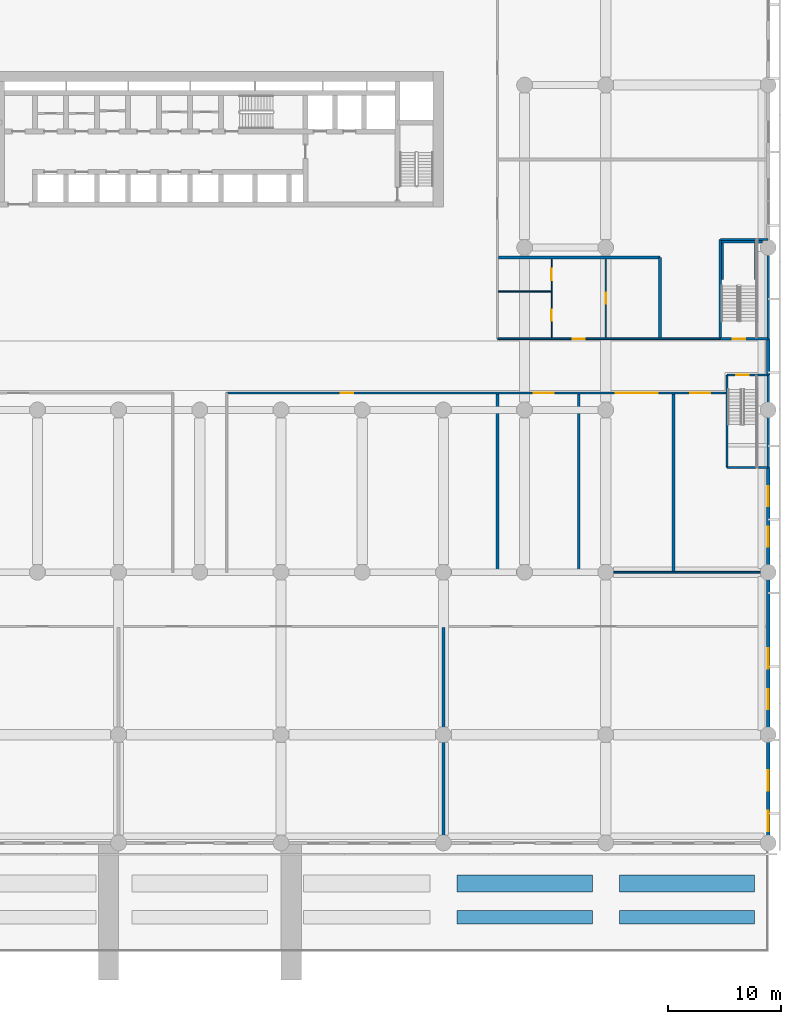
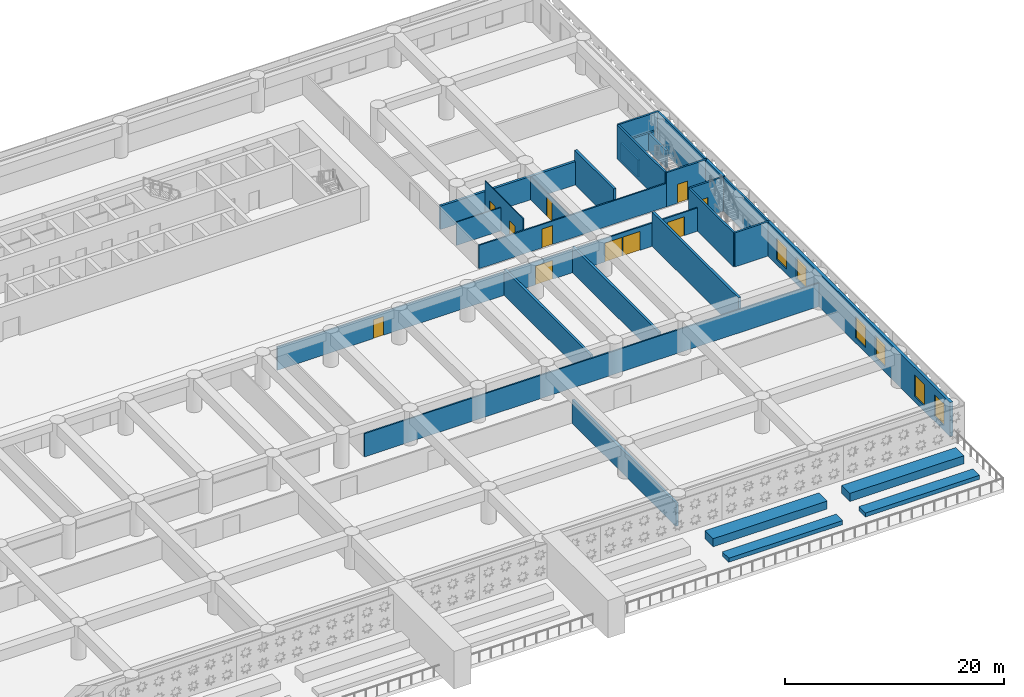
# One storey, part 6 of 24: 29 walls, 11 doors, 6 windows, 17 openings.
"""IFC4 building model written with IfcOpenShell, lengths in metres."""

from ifc_helpers import new_model, si_unit, direction, frame, frame_2d, origin, place, context, subcontext, project, spatial, rectangle, extrude, material, layer, layer_set, type_object, element, fill, save


model = new_model("IFC4")

# Units and contexts
model_context = context("Model", 3, precision=1e-05, world=origin(), true_north=direction((0.0, 1.0)))
body_context = subcontext(model_context, "Body", "Model", "MODEL_VIEW")
ifc_project = project(units=[si_unit("LENGTHUNIT", "METRE"), si_unit("AREAUNIT", "SQUARE_METRE"), si_unit("VOLUMEUNIT", "CUBIC_METRE"), si_unit("PLANEANGLEUNIT", "RADIAN"), si_unit("MASSUNIT", "GRAM", prefix="KILO")], contexts=[model_context])

# Site, building, storey
site_placement = place(None, origin())
site = spatial("IfcSite", under=ifc_project, at=site_placement, CompositionType="ELEMENT")
building_placement = place(site_placement, origin())
building = spatial("IfcBuilding", under=site, at=building_placement, Name="Saffron Iwan Residences", CompositionType="ELEMENT")
storey_placement = place(building_placement, frame((0.0, 0.0, 13.199951171875)))
storey = spatial("IfcBuildingStorey", under=building, at=storey_placement, Name="L02", CompositionType="ELEMENT", Elevation=13.199951171875)

# Wall
ifc_material_1 = material(Name="Concrete blockwork", Category="masonry")
ifc_layer_1 = layer(ifc_material_1, 0.14990234375)
ifc_layer_set_1 = layer_set([ifc_layer_1], Name="Concrete blockwork")
wall_type_1 = type_object("IfcWallType", Name="Blockwork partition 150", PredefinedType="PARTITIONING", material=ifc_layer_set_1)
wall_1_placement = place(storey_placement, frame((52.800048828125, 33.60009765625, 0.0), z_axis=(0.0, 0.0, 1.0), x_axis=(1.0, 0.0, 0.0)))
element("IfcWall", 1, at=wall_1_placement, inside=storey, type_object=wall_type_1, Name="W-L02-004", PredefinedType="PARTITIONING", context=body_context, shape_type="SweptSolid", body=[
    extrude(rectangle(XDim=47.849853515625, YDim=0.14990234375, at=frame_2d((23.9248046875, 0.0))), origin(), (0.0, 0.0, 1.0), 2.60009765625),
])

# Wall, openings, doors
wall_2_placement = place(storey_placement, frame((52.800048828125, 49.5, 0.0), z_axis=(0.0, 0.0, 1.0), x_axis=(1.0, 0.0, 0.0)))
wall_2 = element("IfcWall", 2, at=wall_2_placement, inside=storey, type_object=wall_type_1, Name="W-L02-008", PredefinedType="PARTITIONING", context=body_context, shape_type="SweptSolid", body=[
    extrude(rectangle(XDim=44.25, YDim=0.14990234375, at=frame_2d((22.125, 0.0))), origin(), (0.0, 0.0, 1.0), 2.60009765625),
])
opening_1_placement = place(wall_2_placement, frame((10.10009765625, 0.0, 0.0)))
opening_1 = element("IfcOpeningElement", 3, at=opening_1_placement, cuts=wall_2, Name="Opening L02.13", PredefinedType="OPENING", context=body_context, shape_type="SweptSolid", body=[
    extrude(rectangle(XDim=1.10009765625, YDim=2.10009765625, at=frame_2d((0.550048828125, 1.050048828125))), frame((0.0, 0.0849609375, 0.0), z_axis=(0.0, -1.0, 0.0), x_axis=(1.0, 0.0, 0.0)), (0.0, 0.0, 1.0), 0.169921875),
])
opening_2_placement = place(wall_2_placement, frame((27.199951171875, 0.0, 0.0)))
opening_2 = element("IfcOpeningElement", 4, at=opening_2_placement, cuts=wall_2, Name="Opening L02.14", PredefinedType="OPENING", context=body_context, shape_type="SweptSolid", body=[
    extrude(rectangle(XDim=1.800048828125, YDim=2.10009765625, at=frame_2d((0.89990234375, 1.050048828125))), frame((0.0, 0.0849609375, 0.0), z_axis=(0.0, -1.0, 0.0), x_axis=(1.0, 0.0, 0.0)), (0.0, 0.0, 1.0), 0.169921875),
])
opening_3_placement = place(wall_2_placement, frame((34.5, 0.0, 0.0)))
opening_3 = element("IfcOpeningElement", 5, at=opening_3_placement, cuts=wall_2, Name="Opening L02.15", PredefinedType="OPENING", context=body_context, shape_type="SweptSolid", body=[
    extrude(rectangle(XDim=1.800048828125, YDim=2.10009765625, at=frame_2d((0.89990234375, 1.050048828125))), frame((0.0, 0.0849609375, 0.0), z_axis=(0.0, -1.0, 0.0), x_axis=(1.0, 0.0, 0.0)), (0.0, 0.0, 1.0), 0.169921875),
])
opening_4_placement = place(wall_2_placement, frame((36.412109375, 0.0, 0.0)))
opening_4 = element("IfcOpeningElement", 6, at=opening_4_placement, cuts=wall_2, Name="Opening L02.16", PredefinedType="OPENING", context=body_context, shape_type="SweptSolid", body=[
    extrude(rectangle(XDim=1.800048828125, YDim=2.10009765625, at=frame_2d((0.89990234375, 1.050048828125))), frame((0.0, 0.0849609375, 0.0), z_axis=(0.0, -1.0, 0.0), x_axis=(1.0, 0.0, 0.0)), (0.0, 0.0, 1.0), 0.169921875),
])
opening_5_placement = place(wall_2_placement, frame((41.074951171875, 0.0, 0.0)))
opening_5 = element("IfcOpeningElement", 7, at=opening_5_placement, cuts=wall_2, Name="Opening L02.17", PredefinedType="OPENING", context=body_context, shape_type="SweptSolid", body=[
    extrude(rectangle(XDim=1.800048828125, YDim=2.10009765625, at=frame_2d((0.89990234375, 1.050048828125))), frame((0.0, 0.0849609375, 0.0), z_axis=(0.0, -1.0, 0.0), x_axis=(1.0, 0.0, 0.0)), (0.0, 0.0, 1.0), 0.169921875),
])
ifc_material_2 = material(Name="Timber", Category="wood")
door_type_1 = type_object("IfcDoorType", Name="Door 1100x2100", OperationType="NOTDEFINED", PredefinedType="DOOR", material=ifc_material_2)
door_1_placement = place(opening_1_placement, origin())
door_1 = element("IfcDoor", 8, at=door_1_placement, inside=storey, type_object=door_type_1, Name="D-L02-013", OperationType="SINGLE_SWING_LEFT", OverallHeight=2.10009765625, OverallWidth=1.10009765625, PredefinedType="DOOR", context=body_context, shape_type="SweptSolid", body=[
    extrude(rectangle(XDim=1.10009765625, YDim=2.10009765625, at=frame_2d((0.550048828125, 1.050048828125))), frame((0.0, 0.02490234375, 0.0), z_axis=(0.0, -1.0, 0.0), x_axis=(1.0, 0.0, 0.0)), (0.0, 0.0, 1.0), 0.050048828125),
])
fill(opening_1, door_1)
door_type_2 = type_object("IfcDoorType", Name="Door 1800x2100", OperationType="DOUBLE_DOOR_SINGLE_SWING", PredefinedType="DOOR", material=ifc_material_2)
door_2_placement = place(opening_2_placement, origin())
door_2 = element("IfcDoor", 9, at=door_2_placement, inside=storey, type_object=door_type_2, Name="D-L02-014", OperationType="DOUBLE_DOOR_SINGLE_SWING", OverallHeight=2.10009765625, OverallWidth=1.800048828125, PredefinedType="DOOR", context=body_context, shape_type="SweptSolid", body=[
    extrude(rectangle(XDim=1.800048828125, YDim=2.10009765625, at=frame_2d((0.89990234375, 1.050048828125))), frame((0.0, 0.02490234375, 0.0), z_axis=(0.0, -1.0, 0.0), x_axis=(1.0, 0.0, 0.0)), (0.0, 0.0, 1.0), 0.050048828125),
])
fill(opening_2, door_2)
door_3_placement = place(opening_3_placement, origin())
door_3 = element("IfcDoor", 10, at=door_3_placement, inside=storey, type_object=door_type_2, Name="D-L02-015", OperationType="DOUBLE_DOOR_SINGLE_SWING", OverallHeight=2.10009765625, OverallWidth=1.800048828125, PredefinedType="DOOR", context=body_context, shape_type="SweptSolid", body=[
    extrude(rectangle(XDim=1.800048828125, YDim=2.10009765625, at=frame_2d((0.89990234375, 1.050048828125))), frame((0.0, 0.02490234375, 0.0), z_axis=(0.0, -1.0, 0.0), x_axis=(1.0, 0.0, 0.0)), (0.0, 0.0, 1.0), 0.050048828125),
])
fill(opening_3, door_3)
door_4_placement = place(opening_4_placement, origin())
door_4 = element("IfcDoor", 11, at=door_4_placement, inside=storey, type_object=door_type_2, Name="D-L02-016", OperationType="DOUBLE_DOOR_SINGLE_SWING", OverallHeight=2.10009765625, OverallWidth=1.800048828125, PredefinedType="DOOR", context=body_context, shape_type="SweptSolid", body=[
    extrude(rectangle(XDim=1.800048828125, YDim=2.10009765625, at=frame_2d((0.89990234375, 1.050048828125))), frame((0.0, 0.02490234375, 0.0), z_axis=(0.0, -1.0, 0.0), x_axis=(1.0, 0.0, 0.0)), (0.0, 0.0, 1.0), 0.050048828125),
])
fill(opening_4, door_4)
door_5_placement = place(opening_5_placement, origin())
door_5 = element("IfcDoor", 12, at=door_5_placement, inside=storey, type_object=door_type_2, Name="D-L02-017", OperationType="DOUBLE_DOOR_SINGLE_SWING", OverallHeight=2.10009765625, OverallWidth=1.800048828125, PredefinedType="DOOR", context=body_context, shape_type="SweptSolid", body=[
    extrude(rectangle(XDim=1.800048828125, YDim=2.10009765625, at=frame_2d((0.89990234375, 1.050048828125))), frame((0.0, 0.02490234375, 0.0), z_axis=(0.0, -1.0, 0.0), x_axis=(1.0, 0.0, 0.0)), (0.0, 0.0, 1.0), 0.050048828125),
])
fill(opening_5, door_5)

# Wall, opening, door
wall_3_placement = place(storey_placement, frame((76.800048828125, 54.300048828125, 0.0), z_axis=(0.0, 0.0, 1.0), x_axis=(1.0, 0.0, 0.0)))
wall_3 = element("IfcWall", 13, at=wall_3_placement, inside=storey, type_object=wall_type_1, Name="W-L02-012", PredefinedType="PARTITIONING", context=body_context, shape_type="SweptSolid", body=[
    extrude(rectangle(XDim=19.75, YDim=0.14990234375, at=frame_2d((9.875, 0.0))), origin(), (0.0, 0.0, 1.0), 2.60009765625),
])
opening_6_placement = place(wall_3_placement, frame((6.64990234375, 0.0, 0.0)))
opening_6 = element("IfcOpeningElement", 14, at=opening_6_placement, cuts=wall_3, Name="Opening L02.25", PredefinedType="OPENING", context=body_context, shape_type="SweptSolid", body=[
    extrude(rectangle(XDim=1.10009765625, YDim=2.10009765625, at=frame_2d((0.550048828125, 1.050048828125))), frame((0.0, 0.0849609375, 0.0), z_axis=(0.0, -1.0, 0.0), x_axis=(1.0, 0.0, 0.0)), (0.0, 0.0, 1.0), 0.169921875),
])
door_6_placement = place(opening_6_placement, origin())
door_6 = element("IfcDoor", 15, at=door_6_placement, inside=storey, type_object=door_type_1, Name="D-L02-025", OperationType="SINGLE_SWING_LEFT", OverallHeight=2.10009765625, OverallWidth=1.10009765625, PredefinedType="DOOR", context=body_context, shape_type="SweptSolid", body=[
    extrude(rectangle(XDim=1.10009765625, YDim=2.10009765625, at=frame_2d((0.550048828125, 1.050048828125))), frame((0.0, 0.02490234375, 0.0), z_axis=(0.0, -1.0, 0.0), x_axis=(1.0, 0.0, 0.0)), (0.0, 0.0, 1.0), 0.050048828125),
])
fill(opening_6, door_6)

# Walls
ifc_material_3 = material(Name="Concrete C40/50", Category="concrete")
ifc_layer_2 = layer(ifc_material_3, 0.25)
ifc_layer_set_2 = layer_set([ifc_layer_2], Name="Concrete C40/50")
wall_type_2 = type_object("IfcWallType", Name="Fire compartment wall 250", PredefinedType="SOLIDWALL", material=ifc_layer_set_2)
wall_4_placement = place(storey_placement, frame((76.875, 61.5, 0.0), z_axis=(0.0, 0.0, 1.0), x_axis=(1.0, 0.0, 0.0)))
element("IfcWall", 16, at=wall_4_placement, inside=storey, type_object=wall_type_2, Name="W-L02-016", PredefinedType="SOLIDWALL", context=body_context, shape_type="SweptSolid", body=[
    extrude(rectangle(XDim=14.324951171875, YDim=0.25, at=frame_2d((7.16259765625, 0.0))), origin(), (0.0, 0.0, 1.0), 2.60009765625),
])
wall_5_placement = place(storey_placement, frame((72.0, 9.75, 0.0), z_axis=(0.0, 0.0, 1.0), x_axis=(0.0, 1.0, 0.0)))
element("IfcWall", 17, at=wall_5_placement, inside=storey, type_object=wall_type_2, Name="W-L02-035", PredefinedType="SOLIDWALL", context=body_context, shape_type="SweptSolid", body=[
    extrude(rectangle(XDim=18.97509765625, YDim=0.25, at=frame_2d((9.487548828125, 0.0))), origin(), (0.0, 0.0, 1.0), 2.60009765625),
])
for number, where, z_axis, x_axis, name in (
    (18, (76.800048828125, 33.675048828125, 0.0), (0.0, 0.0, 1.0), (0.0, 1.0, 0.0), "W-L02-037"),
    (19, (84.0, 33.675048828125, 0.0), (0.0, 0.0, 1.0), (0.0, 1.0, 0.0), "W-L02-039"),
):
    element("IfcWall", number, at=place(storey_placement, frame(where, z_axis=z_axis, x_axis=x_axis)), inside=storey, type_object=wall_type_2, Name=name, PredefinedType="SOLIDWALL", context=body_context, shape_type="SweptSolid", body=[
        extrude(rectangle(XDim=15.75, YDim=0.25, at=frame_2d((7.875, 0.0))), origin(), (0.0, 0.0, 1.0), 2.900146484375),
    ])
wall_6_placement = place(storey_placement, frame((91.199951171875, 54.375, 0.0), z_axis=(0.0, 0.0, 1.0), x_axis=(0.0, 1.0, 0.0)))
element("IfcWall", 20, at=wall_6_placement, inside=storey, type_object=wall_type_2, Name="W-L02-041", PredefinedType="SOLIDWALL", context=body_context, shape_type="SweptSolid", body=[
    extrude(rectangle(XDim=7.125, YDim=0.25, at=frame_2d((3.5625, 0.0))), origin(), (0.0, 0.0, 1.0), 3.800048828125),
])
wall_7_placement = place(storey_placement, frame((92.39990234375, 33.675048828125, 0.0), z_axis=(0.0, 0.0, 1.0), x_axis=(0.0, 1.0, 0.0)))
element("IfcWall", 21, at=wall_7_placement, inside=storey, type_object=wall_type_2, Name="W-L02-042", PredefinedType="SOLIDWALL", context=body_context, shape_type="SweptSolid", body=[
    extrude(rectangle(XDim=15.75, YDim=0.25, at=frame_2d((7.875, 0.0))), origin(), (0.0, 0.0, 1.0), 3.800048828125),
])
ifc_layer_3 = layer(ifc_material_3, 0.199951171875)
ifc_layer_set_3 = layer_set([ifc_layer_3], Name="Concrete C40/50")
wall_type_3 = type_object("IfcWallType", Name="Landing support wall, reinforced concrete 200", PredefinedType="SOLIDWALL", material=ifc_layer_set_3)
for number, where, z_axis, x_axis, name in (
    (22, (96.75, 59.580078125, 0.0), (0.0, 0.0, 1.0), (0.0, 1.0, 0.0), "PS4 landing support wall"),
    (23, (99.699951171875, 59.580078125, 0.0), (0.0, 0.0, 1.0), (0.0, 1.0, 0.0), "PS4 landing support wall"),
):
    element("IfcWall", number, at=place(storey_placement, frame(where, z_axis=z_axis, x_axis=x_axis)), inside=storey, type_object=wall_type_3, Name=name, PredefinedType="SOLIDWALL", context=body_context, shape_type="SweptSolid", body=[
        extrude(rectangle(XDim=3.219970703125, YDim=0.199951171875, at=frame_2d((1.60986328125, 0.0))), origin(), (0.0, 0.0, 1.0), 1.900146484375),
    ])
wall_8_placement = place(storey_placement, frame((96.64990234375, 62.89990234375, 0.0), z_axis=(0.0, 0.0, 1.0), x_axis=(1.0, 0.0, 0.0)))
element("IfcWall", 24, at=wall_8_placement, inside=storey, type_object=wall_type_3, Name="PS4 landing support wall", PredefinedType="SOLIDWALL", context=body_context, shape_type="SweptSolid", body=[
    extrude(rectangle(XDim=3.66015625, YDim=0.199951171875, at=frame_2d((1.830078125, 0.0))), origin(), (0.0, 0.0, 1.0), 1.900146484375),
])
ifc_material_4 = material(Name="Plasterboard")
ifc_layer_4 = layer(ifc_material_4, 0.10009765625)
ifc_layer_set_4 = layer_set([ifc_layer_4], Name="Plasterboard")
wall_type_4 = type_object("IfcWallType", Name="Plasterboard partition 100", PredefinedType="PARTITIONING", material=ifc_layer_set_4)
wall_9_placement = place(storey_placement, frame((76.875, 58.5, 0.0), z_axis=(0.0, 0.0, 1.0), x_axis=(1.0, 0.0, 0.0)))
element("IfcWall", 25, at=wall_9_placement, inside=storey, type_object=wall_type_4, Name="W-L02-015", PredefinedType="PARTITIONING", context=body_context, shape_type="SweptSolid", body=[
    extrude(rectangle(XDim=4.675048828125, YDim=0.10009765625, at=frame_2d((2.33740234375, 0.0))), origin(), (0.0, 0.0, 1.0), 2.60009765625),
])

# Wall, openings, doors
wall_10_placement = place(storey_placement, frame((81.60009765625, 54.375, 0.0), z_axis=(0.0, 0.0, 1.0), x_axis=(0.0, 1.0, 0.0)))
wall_10 = element("IfcWall", 26, at=wall_10_placement, inside=storey, type_object=wall_type_4, Name="W-L02-038", PredefinedType="PARTITIONING", context=body_context, shape_type="SweptSolid", body=[
    extrude(rectangle(XDim=7.0, YDim=0.10009765625, at=frame_2d((3.5, 0.0))), origin(), (0.0, 0.0, 1.0), 3.800048828125),
])
opening_7_placement = place(wall_10_placement, frame((1.52490234375, 0.0, 0.0)))
opening_7 = element("IfcOpeningElement", 27, at=opening_7_placement, cuts=wall_10, Name="Opening L02.22", PredefinedType="OPENING", context=body_context, shape_type="SweptSolid", body=[
    extrude(rectangle(XDim=1.0, YDim=2.10009765625, at=frame_2d((0.5, 1.050048828125))), frame((0.0, 0.06005859375, 0.0), z_axis=(0.0, -1.0, 0.0), x_axis=(1.0, 0.0, 0.0)), (0.0, 0.0, 1.0), 0.1201171875),
])
opening_8_placement = place(wall_10_placement, frame((5.125, 0.0, 0.0)))
opening_8 = element("IfcOpeningElement", 28, at=opening_8_placement, cuts=wall_10, Name="Opening L02.23", PredefinedType="OPENING", context=body_context, shape_type="SweptSolid", body=[
    extrude(rectangle(XDim=1.0, YDim=2.10009765625, at=frame_2d((0.5, 1.050048828125))), frame((0.0, 0.06005859375, 0.0), z_axis=(0.0, -1.0, 0.0), x_axis=(1.0, 0.0, 0.0)), (0.0, 0.0, 1.0), 0.1201171875),
])
door_type_3 = type_object("IfcDoorType", Name="Door 1000x2100", OperationType="NOTDEFINED", PredefinedType="DOOR", material=ifc_material_2)
door_7_placement = place(opening_7_placement, origin())
door_7 = element("IfcDoor", 29, at=door_7_placement, inside=storey, type_object=door_type_3, Name="D-L02-022", OperationType="SINGLE_SWING_LEFT", OverallHeight=2.10009765625, OverallWidth=1.0, PredefinedType="DOOR", context=body_context, shape_type="SweptSolid", body=[
    extrude(rectangle(XDim=1.0, YDim=2.10009765625, at=frame_2d((0.5, 1.050048828125))), frame((0.0, 0.02490234375, 0.0), z_axis=(0.0, -1.0, 0.0), x_axis=(1.0, 0.0, 0.0)), (0.0, 0.0, 1.0), 0.050048828125),
])
fill(opening_7, door_7)
door_8_placement = place(opening_8_placement, origin())
door_8 = element("IfcDoor", 30, at=door_8_placement, inside=storey, type_object=door_type_3, Name="D-L02-023", OperationType="SINGLE_SWING_RIGHT", OverallHeight=2.10009765625, OverallWidth=1.0, PredefinedType="DOOR", context=body_context, shape_type="SweptSolid", body=[
    extrude(rectangle(XDim=1.0, YDim=2.10009765625, at=frame_2d((0.5, 1.050048828125))), frame((0.0, 0.02490234375, 0.0), z_axis=(0.0, -1.0, 0.0), x_axis=(1.0, 0.0, 0.0)), (0.0, 0.0, 1.0), 0.050048828125),
])
fill(opening_8, door_8)

# Wall, opening, door
wall_11_placement = place(storey_placement, frame((86.39990234375, 54.375, 0.0), z_axis=(0.0, 0.0, 1.0), x_axis=(0.0, 1.0, 0.0)))
wall_11 = element("IfcWall", 31, at=wall_11_placement, inside=storey, type_object=wall_type_4, Name="W-L02-040", PredefinedType="PARTITIONING", context=body_context, shape_type="SweptSolid", body=[
    extrude(rectangle(XDim=7.0, YDim=0.10009765625, at=frame_2d((3.5, 0.0))), origin(), (0.0, 0.0, 1.0), 2.60009765625),
])
opening_9_placement = place(wall_11_placement, frame((3.02490234375, 0.0, 0.0)))
opening_9 = element("IfcOpeningElement", 32, at=opening_9_placement, cuts=wall_11, Name="Opening L02.24", PredefinedType="OPENING", context=body_context, shape_type="SweptSolid", body=[
    extrude(rectangle(XDim=1.0, YDim=2.10009765625, at=frame_2d((0.5, 1.050048828125))), frame((0.0, 0.06005859375, 0.0), z_axis=(0.0, -1.0, 0.0), x_axis=(1.0, 0.0, 0.0)), (0.0, 0.0, 1.0), 0.1201171875),
])
door_9_placement = place(opening_9_placement, origin())
door_9 = element("IfcDoor", 33, at=door_9_placement, inside=storey, type_object=door_type_3, Name="D-L02-024", OperationType="SINGLE_SWING_RIGHT", OverallHeight=2.10009765625, OverallWidth=1.0, PredefinedType="DOOR", context=body_context, shape_type="SweptSolid", body=[
    extrude(rectangle(XDim=1.0, YDim=2.10009765625, at=frame_2d((0.5, 1.050048828125))), frame((0.0, 0.02490234375, 0.0), z_axis=(0.0, -1.0, 0.0), x_axis=(1.0, 0.0, 0.0)), (0.0, 0.0, 1.0), 0.050048828125),
])
fill(opening_9, door_9)

# Wall, openings, windows
ifc_material_5 = material(Name="Precast concrete C40/50", Category="concrete")
ifc_layer_5 = layer(ifc_material_5, 0.300048828125)
ifc_layer_set_5 = layer_set([ifc_layer_5], Name="Precast concrete C40/50")
wall_type_5 = type_object("IfcWallType", Name="Podium external wall 300", PredefinedType="SOLIDWALL", material=ifc_layer_set_5)
wall_12_placement = place(storey_placement, frame((100.800048828125, 9.60009765625, 0.0), z_axis=(0.0, 0.0, 1.0), x_axis=(0.0, 1.0, 0.0)))
wall_12 = element("IfcWall", 34, at=wall_12_placement, inside=storey, type_object=wall_type_5, Name="W-L02-045", PredefinedType="SOLIDWALL", context=body_context, shape_type="SweptSolid", body=[
    extrude(rectangle(XDim=33.2998046875, YDim=0.300048828125, at=frame_2d((16.64990234375, 0.0))), origin(), (0.0, 0.0, 1.0), 3.800048828125),
])
opening_10_placement = place(wall_12_placement, frame((1.050048828125, 0.0, 0.60009765625)))
opening_10 = element("IfcOpeningElement", 35, at=opening_10_placement, cuts=wall_12, Name="Opening W7", PredefinedType="OPENING", context=body_context, shape_type="SweptSolid", body=[
    extrude(rectangle(XDim=1.800048828125, YDim=2.39990234375, at=frame_2d((0.89990234375, 1.199951171875))), frame((0.0, 0.16015625, 0.0), z_axis=(0.0, -1.0, 0.0), x_axis=(1.0, 0.0, 0.0)), (0.0, 0.0, 1.0), 0.320068359375),
])
opening_11_placement = place(wall_12_placement, frame((4.64990234375, 0.0, 0.60009765625)))
opening_11 = element("IfcOpeningElement", 36, at=opening_11_placement, cuts=wall_12, Name="Opening W7", PredefinedType="OPENING", context=body_context, shape_type="SweptSolid", body=[
    extrude(rectangle(XDim=1.800048828125, YDim=2.39990234375, at=frame_2d((0.89990234375, 1.199951171875))), frame((0.0, 0.16015625, 0.0), z_axis=(0.0, -1.0, 0.0), x_axis=(1.0, 0.0, 0.0)), (0.0, 0.0, 1.0), 0.320068359375),
])
opening_12_placement = place(wall_12_placement, frame((11.85009765625, 0.0, 0.60009765625)))
opening_12 = element("IfcOpeningElement", 37, at=opening_12_placement, cuts=wall_12, Name="Opening W7", PredefinedType="OPENING", context=body_context, shape_type="SweptSolid", body=[
    extrude(rectangle(XDim=1.800048828125, YDim=2.39990234375, at=frame_2d((0.89990234375, 1.199951171875))), frame((0.0, 0.16015625, 0.0), z_axis=(0.0, -1.0, 0.0), x_axis=(1.0, 0.0, 0.0)), (0.0, 0.0, 1.0), 0.320068359375),
])
opening_13_placement = place(wall_12_placement, frame((15.449951171875, 0.0, 0.60009765625)))
opening_13 = element("IfcOpeningElement", 38, at=opening_13_placement, cuts=wall_12, Name="Opening W7", PredefinedType="OPENING", context=body_context, shape_type="SweptSolid", body=[
    extrude(rectangle(XDim=1.800048828125, YDim=2.39990234375, at=frame_2d((0.89990234375, 1.199951171875))), frame((0.0, 0.16015625, 0.0), z_axis=(0.0, -1.0, 0.0), x_axis=(1.0, 0.0, 0.0)), (0.0, 0.0, 1.0), 0.320068359375),
])
opening_14_placement = place(wall_12_placement, frame((26.25, 0.0, 0.60009765625)))
opening_14 = element("IfcOpeningElement", 39, at=opening_14_placement, cuts=wall_12, Name="Opening W7", PredefinedType="OPENING", context=body_context, shape_type="SweptSolid", body=[
    extrude(rectangle(XDim=1.800048828125, YDim=2.39990234375, at=frame_2d((0.89990234375, 1.199951171875))), frame((0.0, 0.16015625, 0.0), z_axis=(0.0, -1.0, 0.0), x_axis=(1.0, 0.0, 0.0)), (0.0, 0.0, 1.0), 0.320068359375),
])
opening_15_placement = place(wall_12_placement, frame((29.85009765625, 0.0, 0.60009765625)))
opening_15 = element("IfcOpeningElement", 40, at=opening_15_placement, cuts=wall_12, Name="Opening W7", PredefinedType="OPENING", context=body_context, shape_type="SweptSolid", body=[
    extrude(rectangle(XDim=1.800048828125, YDim=2.39990234375, at=frame_2d((0.89990234375, 1.199951171875))), frame((0.0, 0.16015625, 0.0), z_axis=(0.0, -1.0, 0.0), x_axis=(1.0, 0.0, 0.0)), (0.0, 0.0, 1.0), 0.320068359375),
])
ifc_material_6 = material(Name="Clear glass, laminated double glazed", Category="glass")
window_type = type_object("IfcWindowType", Name="WINDOW 1800 x 2400 PODIUM", PartitioningType="DOUBLE_PANEL_VERTICAL", PredefinedType="WINDOW", material=ifc_material_6)
window_1_placement = place(opening_10_placement, origin())
window_1 = element("IfcWindow", 41, at=window_1_placement, inside=storey, type_object=window_type, Name="Window L02 W-L02-045.0", OverallHeight=2.39990234375, OverallWidth=1.800048828125, PartitioningType="DOUBLE_PANEL_VERTICAL", PredefinedType="WINDOW", context=body_context, shape_type="SweptSolid", body=[
    extrude(rectangle(XDim=1.800048828125, YDim=2.39990234375, at=frame_2d((0.89990234375, 1.199951171875))), frame((0.0, 0.030029296875, 0.0), z_axis=(0.0, -1.0, 0.0), x_axis=(1.0, 0.0, 0.0)), (0.0, 0.0, 1.0), 0.06005859375),
])
fill(opening_10, window_1)
window_2_placement = place(opening_11_placement, origin())
window_2 = element("IfcWindow", 42, at=window_2_placement, inside=storey, type_object=window_type, Name="Window L02 W-L02-045.1", OverallHeight=2.39990234375, OverallWidth=1.800048828125, PartitioningType="DOUBLE_PANEL_VERTICAL", PredefinedType="WINDOW", context=body_context, shape_type="SweptSolid", body=[
    extrude(rectangle(XDim=1.800048828125, YDim=2.39990234375, at=frame_2d((0.89990234375, 1.199951171875))), frame((0.0, 0.030029296875, 0.0), z_axis=(0.0, -1.0, 0.0), x_axis=(1.0, 0.0, 0.0)), (0.0, 0.0, 1.0), 0.06005859375),
])
fill(opening_11, window_2)
window_3_placement = place(opening_12_placement, origin())
window_3 = element("IfcWindow", 43, at=window_3_placement, inside=storey, type_object=window_type, Name="Window L02 W-L02-045.2", OverallHeight=2.39990234375, OverallWidth=1.800048828125, PartitioningType="DOUBLE_PANEL_VERTICAL", PredefinedType="WINDOW", context=body_context, shape_type="SweptSolid", body=[
    extrude(rectangle(XDim=1.800048828125, YDim=2.39990234375, at=frame_2d((0.89990234375, 1.199951171875))), frame((0.0, 0.030029296875, 0.0), z_axis=(0.0, -1.0, 0.0), x_axis=(1.0, 0.0, 0.0)), (0.0, 0.0, 1.0), 0.06005859375),
])
fill(opening_12, window_3)
window_4_placement = place(opening_13_placement, origin())
window_4 = element("IfcWindow", 44, at=window_4_placement, inside=storey, type_object=window_type, Name="Window L02 W-L02-045.3", OverallHeight=2.39990234375, OverallWidth=1.800048828125, PartitioningType="DOUBLE_PANEL_VERTICAL", PredefinedType="WINDOW", context=body_context, shape_type="SweptSolid", body=[
    extrude(rectangle(XDim=1.800048828125, YDim=2.39990234375, at=frame_2d((0.89990234375, 1.199951171875))), frame((0.0, 0.030029296875, 0.0), z_axis=(0.0, -1.0, 0.0), x_axis=(1.0, 0.0, 0.0)), (0.0, 0.0, 1.0), 0.06005859375),
])
fill(opening_13, window_4)
window_5_placement = place(opening_14_placement, origin())
window_5 = element("IfcWindow", 45, at=window_5_placement, inside=storey, type_object=window_type, Name="Window L02 W-L02-045.4", OverallHeight=2.39990234375, OverallWidth=1.800048828125, PartitioningType="DOUBLE_PANEL_VERTICAL", PredefinedType="WINDOW", context=body_context, shape_type="SweptSolid", body=[
    extrude(rectangle(XDim=1.800048828125, YDim=2.39990234375, at=frame_2d((0.89990234375, 1.199951171875))), frame((0.0, 0.030029296875, 0.0), z_axis=(0.0, -1.0, 0.0), x_axis=(1.0, 0.0, 0.0)), (0.0, 0.0, 1.0), 0.06005859375),
])
fill(opening_14, window_5)
window_6_placement = place(opening_15_placement, origin())
window_6 = element("IfcWindow", 46, at=window_6_placement, inside=storey, type_object=window_type, Name="Window L02 W-L02-045.5", OverallHeight=2.39990234375, OverallWidth=1.800048828125, PartitioningType="DOUBLE_PANEL_VERTICAL", PredefinedType="WINDOW", context=body_context, shape_type="SweptSolid", body=[
    extrude(rectangle(XDim=1.800048828125, YDim=2.39990234375, at=frame_2d((0.89990234375, 1.199951171875))), frame((0.0, 0.030029296875, 0.0), z_axis=(0.0, -1.0, 0.0), x_axis=(1.0, 0.0, 0.0)), (0.0, 0.0, 1.0), 0.06005859375),
])
fill(opening_15, window_6)

# Walls
wall_13_placement = place(storey_placement, frame((100.800048828125, 51.10009765625, 0.0), z_axis=(0.0, 0.0, 1.0), x_axis=(0.0, 1.0, 0.0)))
element("IfcWall", 47, at=wall_13_placement, inside=storey, type_object=wall_type_5, Name="W-L02-046", PredefinedType="SOLIDWALL", context=body_context, shape_type="SweptSolid", body=[
    extrude(rectangle(XDim=3.199951171875, YDim=0.300048828125, at=frame_2d((1.60009765625, 0.0))), origin(), (0.0, 0.0, 1.0), 3.800048828125),
])
ifc_layer_6 = layer(ifc_material_3, 0.199951171875)
ifc_layer_set_6 = layer_set([ifc_layer_6], Name="Concrete C40/50")
wall_type_6 = type_object("IfcWallType", Name="Reinforced concrete stair wall 200", PredefinedType="SOLIDWALL", material=ifc_layer_set_6)
wall_14_placement = place(storey_placement, frame((97.14990234375, 42.89990234375, 0.0), z_axis=(0.0, 0.0, 1.0), x_axis=(1.0, 0.0, 0.0)))
element("IfcWall", 48, at=wall_14_placement, inside=storey, type_object=wall_type_6, Name="W-L02-006", PredefinedType="SOLIDWALL", context=body_context, shape_type="SweptSolid", body=[
    extrude(rectangle(XDim=3.650146484375, YDim=0.199951171875, at=frame_2d((1.8251953125, 0.0))), origin(), (0.0, 0.0, 1.0), 3.800048828125),
])

# Wall, opening, door
wall_15_placement = place(storey_placement, frame((97.14990234375, 51.10009765625, 0.0), z_axis=(0.0, 0.0, 1.0), x_axis=(1.0, 0.0, 0.0)))
wall_15 = element("IfcWall", 49, at=wall_15_placement, inside=storey, type_object=wall_type_6, Name="W-L02-010", PredefinedType="SOLIDWALL", context=body_context, shape_type="SweptSolid", body=[
    extrude(rectangle(XDim=3.650146484375, YDim=0.199951171875, at=frame_2d((1.8251953125, 0.0))), origin(), (0.0, 0.0, 1.0), 3.800048828125),
])
opening_16_placement = place(wall_15_placement, frame((0.824951171875, 0.0, 0.0)))
opening_16 = element("IfcOpeningElement", 50, at=opening_16_placement, cuts=wall_15, Name="Opening L02.30", PredefinedType="OPENING", context=body_context, shape_type="SweptSolid", body=[
    extrude(rectangle(XDim=1.10009765625, YDim=2.10009765625, at=frame_2d((0.550048828125, 1.050048828125))), frame((0.0, 0.10986328125, 0.0), z_axis=(0.0, -1.0, 0.0), x_axis=(1.0, 0.0, 0.0)), (0.0, 0.0, 1.0), 0.219970703125),
])
ifc_material_7 = material(Name="Steel", Category="steel")
door_type_4 = type_object("IfcDoorType", Name="Fire door 1100x2100", OperationType="NOTDEFINED", PredefinedType="DOOR", material=ifc_material_7)
door_10_placement = place(opening_16_placement, origin())
door_10 = element("IfcDoor", 51, at=door_10_placement, inside=storey, type_object=door_type_4, Name="D-L02-030", OperationType="SINGLE_SWING_LEFT", OverallHeight=2.10009765625, OverallWidth=1.10009765625, PredefinedType="DOOR", context=body_context, shape_type="SweptSolid", body=[
    extrude(rectangle(XDim=1.10009765625, YDim=2.10009765625, at=frame_2d((0.550048828125, 1.050048828125))), frame((0.0, 0.02490234375, 0.0), z_axis=(0.0, -1.0, 0.0), x_axis=(1.0, 0.0, 0.0)), (0.0, 0.0, 1.0), 0.050048828125),
])
fill(opening_16, door_10)

wall_16_placement = place(storey_placement, frame((96.550048828125, 54.300048828125, 0.0), z_axis=(0.0, 0.0, 1.0), x_axis=(1.0, 0.0, 0.0)))
wall_16 = element("IfcWall", 52, at=wall_16_placement, inside=storey, type_object=wall_type_6, Name="W-L02-014", PredefinedType="SOLIDWALL", context=body_context, shape_type="SweptSolid", body=[
    extrude(rectangle(XDim=4.25, YDim=0.199951171875, at=frame_2d((2.125, 0.0))), origin(), (0.0, 0.0, 1.0), 3.800048828125),
])
opening_17_placement = place(wall_16_placement, frame((1.125, 0.0, 0.0)))
opening_17 = element("IfcOpeningElement", 53, at=opening_17_placement, cuts=wall_16, Name="Opening L02.32", PredefinedType="OPENING", context=body_context, shape_type="SweptSolid", body=[
    extrude(rectangle(XDim=1.10009765625, YDim=2.10009765625, at=frame_2d((0.550048828125, 1.050048828125))), frame((0.0, 0.10986328125, 0.0), z_axis=(0.0, -1.0, 0.0), x_axis=(1.0, 0.0, 0.0)), (0.0, 0.0, 1.0), 0.219970703125),
])
door_11_placement = place(opening_17_placement, origin())
door_11 = element("IfcDoor", 54, at=door_11_placement, inside=storey, type_object=door_type_4, Name="D-L02-032", OperationType="SINGLE_SWING_LEFT", OverallHeight=2.10009765625, OverallWidth=1.10009765625, PredefinedType="DOOR", context=body_context, shape_type="SweptSolid", body=[
    extrude(rectangle(XDim=1.10009765625, YDim=2.10009765625, at=frame_2d((0.550048828125, 1.050048828125))), frame((0.0, 0.02490234375, 0.0), z_axis=(0.0, -1.0, 0.0), x_axis=(1.0, 0.0, 0.0)), (0.0, 0.0, 1.0), 0.050048828125),
])
fill(opening_17, door_11)

# Walls
wall_17_placement = place(storey_placement, frame((96.550048828125, 63.10009765625, 0.0), z_axis=(0.0, 0.0, 1.0), x_axis=(1.0, 0.0, 0.0)))
element("IfcWall", 55, at=wall_17_placement, inside=storey, type_object=wall_type_6, Name="W-L02-018", PredefinedType="SOLIDWALL", context=body_context, shape_type="SweptSolid", body=[
    extrude(rectangle(XDim=4.25, YDim=0.199951171875, at=frame_2d((2.125, 0.0))), origin(), (0.0, 0.0, 1.0), 3.800048828125),
])
wall_18_placement = place(storey_placement, frame((96.550048828125, 54.300048828125, 0.0), z_axis=(0.0, 0.0, 1.0), x_axis=(0.0, 1.0, 0.0)))
element("IfcWall", 56, at=wall_18_placement, inside=storey, type_object=wall_type_6, Name="W-L02-043", PredefinedType="SOLIDWALL", context=body_context, shape_type="SweptSolid", body=[
    extrude(rectangle(XDim=8.800048828125, YDim=0.199951171875, at=frame_2d((4.39990234375, 0.0))), origin(), (0.0, 0.0, 1.0), 3.800048828125),
])
for number, where, z_axis, x_axis, name in (
    (57, (97.14990234375, 42.89990234375, 0.0), (0.0, 0.0, 1.0), (0.0, 1.0, 0.0), "W-L02-044"),
    (58, (100.800048828125, 42.89990234375, 0.0), (0.0, 0.0, 1.0), (0.0, 1.0, 0.0), "W-L02-048"),
):
    element("IfcWall", number, at=place(storey_placement, frame(where, z_axis=z_axis, x_axis=x_axis)), inside=storey, type_object=wall_type_6, Name=name, PredefinedType="SOLIDWALL", context=body_context, shape_type="SweptSolid", body=[
        extrude(rectangle(XDim=8.2001953125, YDim=0.199951171875, at=frame_2d((4.10009765625, 0.0))), origin(), (0.0, 0.0, 1.0), 3.800048828125),
    ])
wall_19_placement = place(storey_placement, frame((100.800048828125, 54.300048828125, 0.0), z_axis=(0.0, 0.0, 1.0), x_axis=(0.0, 1.0, 0.0)))
element("IfcWall", 59, at=wall_19_placement, inside=storey, type_object=wall_type_6, Name="W-L02-049", PredefinedType="SOLIDWALL", context=body_context, shape_type="SweptSolid", body=[
    extrude(rectangle(XDim=8.800048828125, YDim=0.199951171875, at=frame_2d((4.39990234375, 0.0))), origin(), (0.0, 0.0, 1.0), 3.800048828125),
])
ifc_layer_7 = layer(ifc_material_3, 1.199951171875)
ifc_layer_set_7 = layer_set([ifc_layer_7], Name="Concrete C40/50")
wall_type_7 = type_object("IfcWallType", Name="Terrace planter wall 1200", PredefinedType="SOLIDWALL", material=ifc_layer_set_7)
for number, where, z_axis, x_axis, name in (
    (60, (73.199951171875, 3.0, 0.0), (0.0, 0.0, 1.0), (1.0, 0.0, 0.0), "PLANTER terrace L02 11"),
    (61, (87.60009765625, 3.0, 0.0), (0.0, 0.0, 1.0), (1.0, 0.0, 0.0), "PLANTER terrace L02 13"),
):
    element("IfcWall", number, at=place(storey_placement, frame(where, z_axis=z_axis, x_axis=x_axis)), inside=storey, type_object=wall_type_7, Name=name, PredefinedType="SOLIDWALL", context=body_context, shape_type="SweptSolid", body=[
        extrude(rectangle(XDim=12.0, YDim=1.199951171875, at=frame_2d((6.0, 0.0))), origin(), (0.0, 0.0, 1.0), 0.449951171875),
    ])
ifc_layer_8 = layer(ifc_material_3, 1.5)
ifc_layer_set_8 = layer_set([ifc_layer_8], Name="Concrete C40/50")
wall_type_8 = type_object("IfcWallType", Name="Terrace planter wall 1500", PredefinedType="SOLIDWALL", material=ifc_layer_set_8)
for number, where, z_axis, x_axis, name in (
    (62, (73.199951171875, 6.0, 0.0), (0.0, 0.0, 1.0), (1.0, 0.0, 0.0), "PLANTER terrace L02 12"),
    (63, (87.60009765625, 6.0, 0.0), (0.0, 0.0, 1.0), (1.0, 0.0, 0.0), "PLANTER terrace L02 14"),
):
    element("IfcWall", number, at=place(storey_placement, frame(where, z_axis=z_axis, x_axis=x_axis)), inside=storey, type_object=wall_type_8, Name=name, PredefinedType="SOLIDWALL", context=body_context, shape_type="SweptSolid", body=[
        extrude(rectangle(XDim=12.0, YDim=1.5, at=frame_2d((6.0, 0.0))), origin(), (0.0, 0.0, 1.0), 0.900146484375),
    ])

save(model, "model.ifc")
